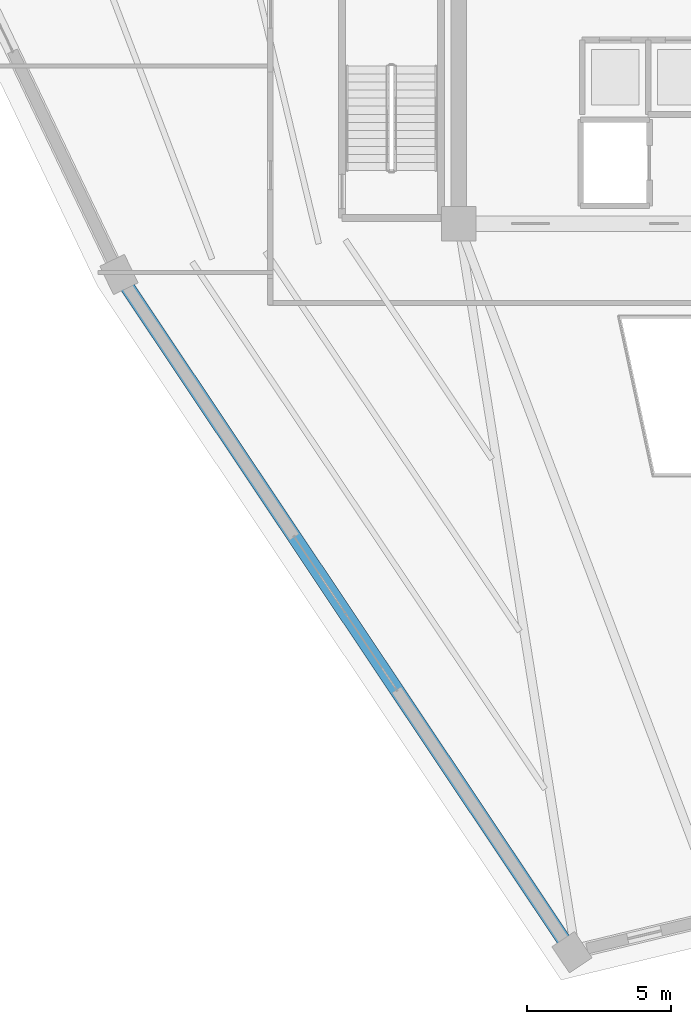
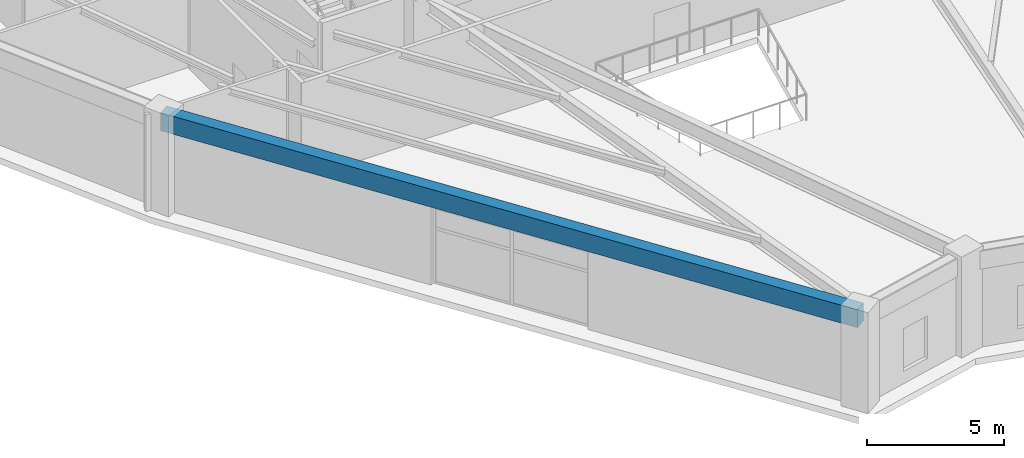
# One storey, part 3 of 35: 1 beam.
"""IFC4 building model written with IfcOpenShell, lengths in metres."""

from ifc_helpers import new_model, si_unit, direction, frame, origin, origin_2d, place, context, subcontext, project, spatial, rectangle, extrude, source, transform, mapped, material, material_profile, profile_set, type_object, element, save


model = new_model("IFC4")

# Units and contexts
model_context = context("Model", 3, precision=1e-05, world=origin(), true_north=direction((0.0, 1.0)))
body_context = subcontext(model_context, "Body", "Model", "MODEL_VIEW")
ifc_project = project(units=[si_unit("LENGTHUNIT", "METRE"), si_unit("AREAUNIT", "SQUARE_METRE"), si_unit("VOLUMEUNIT", "CUBIC_METRE"), si_unit("PLANEANGLEUNIT", "RADIAN"), si_unit("MASSUNIT", "GRAM", prefix="KILO")], contexts=[model_context])

# Site, building, storey
site_placement = place(None, origin())
site = spatial("IfcSite", under=ifc_project, at=site_placement, CompositionType="ELEMENT")
building_placement = place(site_placement, origin())
building = spatial("IfcBuilding", under=site, at=building_placement, Name="Liaohun Quay Tower", CompositionType="ELEMENT")
storey_placement = place(building_placement, frame((0.0, 0.0, 282.0)))
storey = spatial("IfcBuildingStorey", under=building, at=storey_placement, Name="L73", CompositionType="ELEMENT", Elevation=282.0)

# Beam
ifc_material = material(Name="Precast concrete C50", Category="concrete")
ifc_material_profile = material_profile(ifc_material, rectangle(XDim=0.5, YDim=0.800048828125, at=origin_2d()), Name="RC500x800")
ifc_profile_set = profile_set([ifc_material_profile], Name="Precast concrete C50")
beam_type = type_object("IfcBeamType", Name="BM-SPD-Z4", PredefinedType="SPANDREL", material=ifc_profile_set)
shared_shape = source(origin(), body_context, "Body", "SweptSolid", [
    extrude(rectangle(XDim=0.5, YDim=0.800048828125, at=origin_2d()), origin(), (0.0, 0.0, 1.0), 28.392578125),
])
beam_placement = place(storey_placement, frame((54.946044921875, 21.1240234375, 3.919921875), z_axis=(-0.555709807019, 0.831376334991, 0.0), x_axis=(-0.831376334991, -0.555709807019, 0.0)))
element("IfcBeam", 1, at=beam_placement, inside=storey, type_object=beam_type, Name="L73 Precast Spandrel Beam PC01-PC02", PredefinedType="SPANDREL", context=body_context, shape_type="MappedRepresentation", body=[
    mapped(shared_shape, transform((0.0, 0.0, 0.0), x_axis=(1.0, 0.0, 0.0), y_axis=(0.0, 1.0, 0.0), z_axis=(0.0, 0.0, 1.0), scale=1.0)),
])

save(model, "model.ifc")
